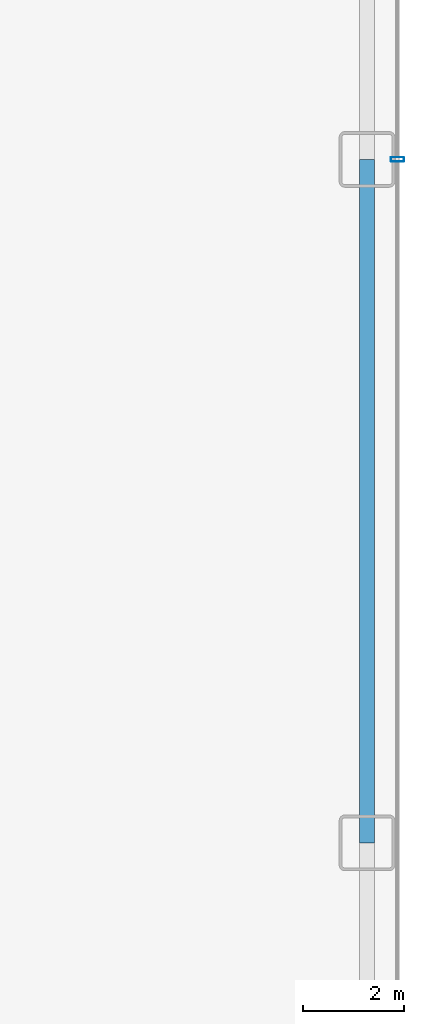
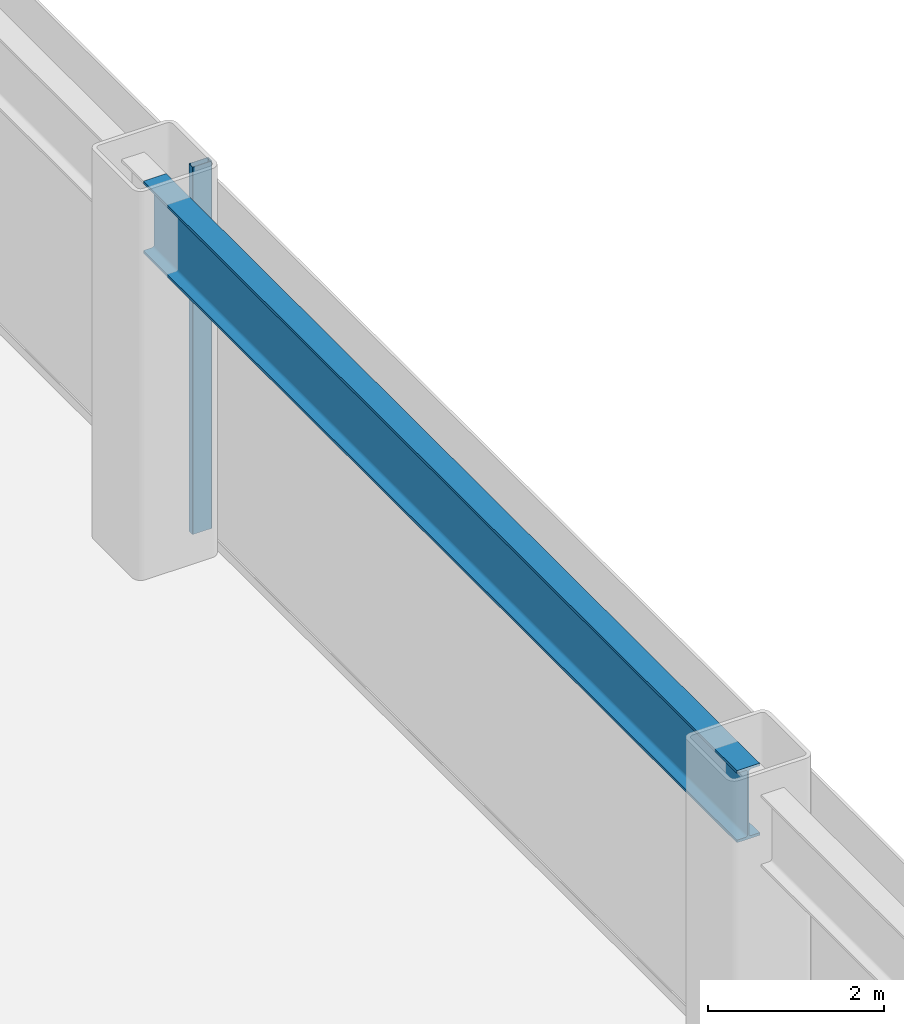
# One storey, part 13 of 24: 1 beam, 1 member, 1 element without a shape of its own.
"""IFC4 building model written with IfcOpenShell, lengths in metres."""

from ifc_helpers import new_model, si_unit, direction, frame, origin, origin_2d, place, context, subcontext, project, spatial, hollow_rectangle, i_section, extrude, source, transform, mapped, material, layer, layer_set, material_profile, profile_set, type_object, element, aggregate, save


model = new_model("IFC4")

# Units and contexts
model_context = context("Model", 3, precision=1e-05, world=origin(), true_north=direction((0.0, 1.0)))
body_context = subcontext(model_context, "Body", "Model", "MODEL_VIEW")
ifc_project = project(units=[si_unit("LENGTHUNIT", "METRE"), si_unit("AREAUNIT", "SQUARE_METRE"), si_unit("VOLUMEUNIT", "CUBIC_METRE"), si_unit("PLANEANGLEUNIT", "RADIAN"), si_unit("MASSUNIT", "GRAM", prefix="KILO")], contexts=[model_context])

# Site, building, storey
site_placement = place(None, origin())
site = spatial("IfcSite", under=ifc_project, at=site_placement, CompositionType="ELEMENT")
building_placement = place(site_placement, origin())
building = spatial("IfcBuilding", under=site, at=building_placement, Name="Nefas-Gora Pilgrimage Tower", CompositionType="ELEMENT")
storey_placement = place(building_placement, frame((0.0, 0.0, 16.800048828125)))
storey = spatial("IfcBuildingStorey", under=building, at=storey_placement, Name="L03", CompositionType="ELEMENT", Elevation=16.800048828125)

# Beam
ifc_material_1 = material(Name="Steel S460", Category="steel")
ifc_material_profile_1 = material_profile(ifc_material_1, i_section(OverallWidth=0.300048828125, OverallDepth=1.0, WebThickness=0.01904296875, FlangeThickness=0.035888671875, FilletRadius=0.030029296875, at=origin_2d()), Name="HEB 1000")
ifc_profile_set_1 = profile_set([ifc_material_profile_1], Name="Steel S460")
beam_type = type_object("IfcBeamType", Name="BM-POD-HEB1000E", PredefinedType="BEAM", material=ifc_profile_set_1)
shared_shape_1 = source(origin(), body_context, "Body", "SweptSolid", [
    extrude(i_section(OverallWidth=0.300048828125, OverallDepth=1.0, WebThickness=0.01904296875, FlangeThickness=0.035888671875, FilletRadius=0.030029296875, at=origin_2d()), origin(), (0.0, 0.0, 1.0), 13.5),
])
beam_placement = place(storey_placement, frame((37.64990234375, -13.5, 4.599853515625), z_axis=(0.0, 1.0, 0.0), x_axis=(-1.0, 0.0, 0.0)))
element("IfcBeam", 1, at=beam_placement, inside=storey, type_object=beam_type, Name="L03 PG-01E beam", PredefinedType="BEAM", context=body_context, shape_type="MappedRepresentation", body=[
    mapped(shared_shape_1, transform((0.0, 0.0, 0.0), x_axis=(1.0, 0.0, 0.0), y_axis=(0.0, 1.0, 0.0), z_axis=(0.0, 0.0, 1.0), scale=1.0)),
])

# Curtain wall, member
ifc_material_2 = material(Name="Dark ceramic-fritted solar-control aluminium-glass curtain wall", Category="aluminium")
ifc_layer = layer(ifc_material_2, 0.219970703125)
ifc_layer_set = layer_set([ifc_layer], Name="Dark ceramic-fritted solar-control aluminium-glass curtain wall")
curtain_wall_type = type_object("IfcCurtainWallType", Name="CW-SYS-1", PredefinedType="NOTDEFINED", material=ifc_layer_set)
curtain_wall_placement = place(storey_placement, origin())
curtain_wall = element("IfcCurtainWall", 2, at=curtain_wall_placement, inside=storey, type_object=curtain_wall_type, Name="L03 Unitised Curtain Wall CW1", PredefinedType="NOTDEFINED")
ifc_material_3 = material(Name="Anodised architectural aluminium", Category="aluminium")
ifc_material_profile_2 = material_profile(ifc_material_3, hollow_rectangle(XDim=0.090087890625, YDim=0.260009765625, WallThickness=0.006103515625, InnerFilletRadius=0.006103515625, OuterFilletRadius=0.011962890625, at=origin_2d()), Name="ALU MULLION 90x260")
ifc_profile_set_2 = profile_set([ifc_material_profile_2], Name="Anodised architectural aluminium")
member_type = type_object("IfcMemberType", Name="CWM-MUL-1", PredefinedType="MULLION", material=ifc_profile_set_2)
shared_shape_2 = source(origin(), body_context, "Body", "SweptSolid", [
    extrude(hollow_rectangle(XDim=0.090087890625, YDim=0.260009765625, WallThickness=0.006103515625, InnerFilletRadius=0.006103515625, OuterFilletRadius=0.011962890625, at=origin_2d()), origin(), (0.0, 0.0, 1.0), 5.099853515625),
])
member_placement = place(storey_placement, frame((38.25, 0.0, 0.0), z_axis=(0.0, 0.0, 1.0), x_axis=(0.0, 1.0, 0.0)))
member = element("IfcMember", 3, at=member_placement, type_object=member_type, Name="CW1 Mullion 2", PredefinedType="MULLION", context=body_context, shape_type="MappedRepresentation", body=[
    mapped(shared_shape_2, transform((0.0, 0.0, 0.0), x_axis=(1.0, 0.0, 0.0), y_axis=(0.0, 1.0, 0.0), z_axis=(0.0, 0.0, 1.0), scale=1.0)),
])
aggregate(curtain_wall, [member])

save(model, "model.ifc")
